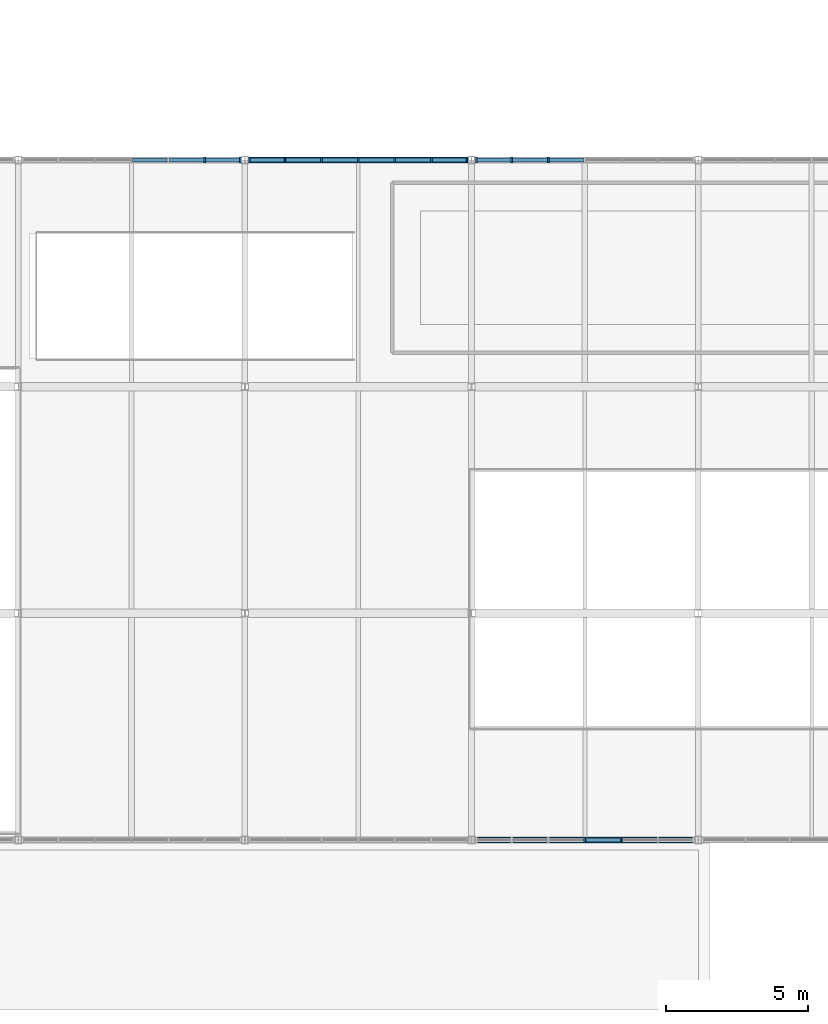
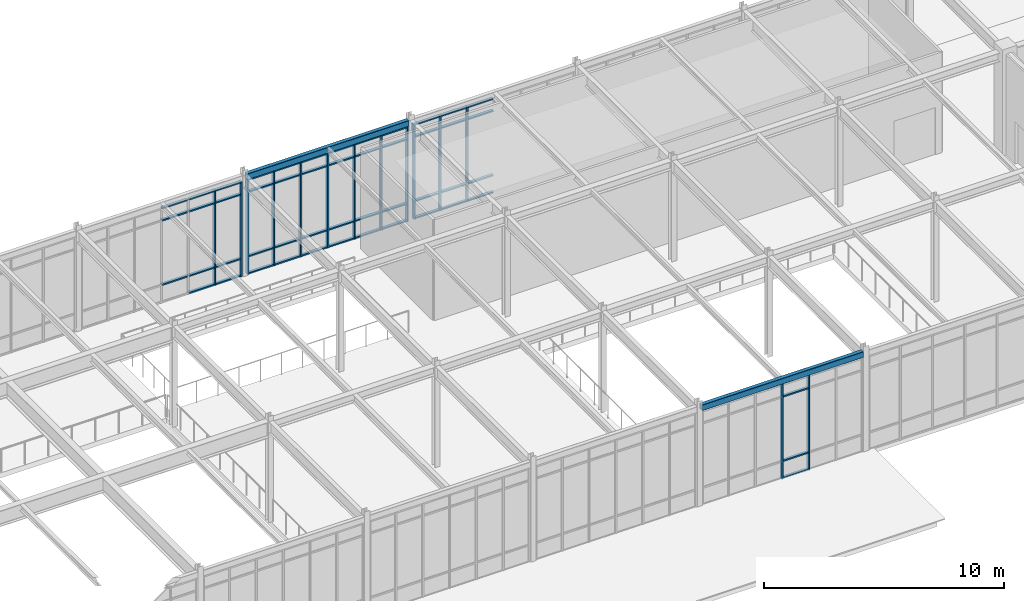
# One storey, part 50 of 184: 64 members, 2 beams, 4 elements without a shape of their own.
"""IFC4 building model written with IfcOpenShell, lengths in metres."""

from ifc_helpers import new_model, si_unit, direction, frame, origin, origin_2d, place, context, subcontext, project, spatial, rectangle, hollow_rectangle, extrude, material, material_profile, profile_set, type_object, element, aggregate, save


model = new_model("IFC4")

# Units and contexts
model_context = context("Model", 3, precision=1e-05, world=origin(), true_north=direction((0.0, 1.0)))
body_context = subcontext(model_context, "Body", "Model", "MODEL_VIEW")
ifc_project = project(units=[si_unit("LENGTHUNIT", "METRE"), si_unit("AREAUNIT", "SQUARE_METRE"), si_unit("VOLUMEUNIT", "CUBIC_METRE"), si_unit("PLANEANGLEUNIT", "RADIAN"), si_unit("MASSUNIT", "GRAM", prefix="KILO")], contexts=[model_context])

# Site, building, storey
site_placement = place(None, origin())
site = spatial("IfcSite", under=ifc_project, at=site_placement, CompositionType="ELEMENT")
building_placement = place(site_placement, origin())
building = spatial("IfcBuilding", under=site, at=building_placement, Name="Zhaolan Boulevard Law Courts", CompositionType="ELEMENT")
storey_placement = place(building_placement, frame((0.0, 0.0, 5.39990234375)))
storey = spatial("IfcBuildingStorey", under=building, at=storey_placement, Name="L01", CompositionType="ELEMENT", Elevation=5.39990234375)

# Curtain wall, members
ifc_material_1 = material(Name="Thermally broken aluminium and low-E glazing", Category="aluminium")
curtain_wall_type_1 = type_object("IfcCurtainWallType", Name="CURTAIN WALL M15", PredefinedType="USERDEFINED", material=ifc_material_1)
curtain_wall_1_placement = place(storey_placement, origin())
curtain_wall_1 = element("IfcCurtainWall", 1, at=curtain_wall_1_placement, inside=storey, type_object=curtain_wall_type_1, Name="Curtain Wall CW-L01-039", ObjectType="CURTAIN WALL", PredefinedType="USERDEFINED")
ifc_material_2 = material(Name="Fluorocarbon-coated aluminium 6063-T6", Category="aluminium")
ifc_material_profile_1 = material_profile(ifc_material_2, rectangle(XDim=0.179931640625, YDim=0.06494140625, at=origin_2d()), Name="AL65x180")
ifc_profile_set_1 = profile_set([ifc_material_profile_1], Name="Fluorocarbon-coated aluminium 6063-T6")
member_type_1 = type_object("IfcMemberType", Name="CWMULLION 65X180", PredefinedType="MULLION", material=ifc_profile_set_1)
member_1_placement = place(storey_placement, frame((96.0, 6.0, 0.0), z_axis=(0.0, 0.0, 1.0), x_axis=(0.0, 1.0, 0.0)))
member_1 = element("IfcMember", 2, at=member_1_placement, type_object=member_type_1, Name="CW-L01-039 mullion 4", PredefinedType="MULLION", context=body_context, shape_type="SweptSolid", body=[
    extrude(rectangle(XDim=0.179931640625, YDim=0.06494140625, at=origin_2d()), origin(), (0.0, 0.0, 1.0), 4.822998046875),
])
member_2_placement = place(storey_placement, frame((97.291015625, 6.0, 0.0), z_axis=(0.0, 0.0, 1.0), x_axis=(0.0, 1.0, 0.0)))
member_2 = element("IfcMember", 3, at=member_2_placement, type_object=member_type_1, Name="CW-L01-039 mullion 5", PredefinedType="MULLION", context=body_context, shape_type="SweptSolid", body=[
    extrude(rectangle(XDim=0.179931640625, YDim=0.06494140625, at=origin_2d()), origin(), (0.0, 0.0, 1.0), 4.822998046875),
])

ifc_material_3 = material(Name="Thermally broken aluminium and low-E glazing", Category="aluminium")
curtain_wall_type_2 = type_object("IfcCurtainWallType", Name="CURTAIN WALL M3", PredefinedType="USERDEFINED", material=ifc_material_3)
curtain_wall_2_placement = place(storey_placement, origin())
curtain_wall_2 = element("IfcCurtainWall", 4, at=curtain_wall_2_placement, inside=storey, type_object=curtain_wall_type_2, Name="Curtain Wall CW-L01-051", ObjectType="CURTAIN WALL", PredefinedType="USERDEFINED")
member_3_placement = place(storey_placement, frame((83.840576171875, 30.0, 0.0), z_axis=(0.0, 0.0, 1.0), x_axis=(0.0, -1.0, 0.0)))
member_3 = element("IfcMember", 5, at=member_3_placement, type_object=member_type_1, Name="CW-L01-051 mullion 1", PredefinedType="MULLION", context=body_context, shape_type="SweptSolid", body=[
    extrude(rectangle(XDim=0.179931640625, YDim=0.06494140625, at=origin_2d()), origin(), (0.0, 0.0, 1.0), 4.822998046875),
])
member_4_placement = place(storey_placement, frame((82.58203125, 30.0, 0.0), z_axis=(0.0, 0.0, 1.0), x_axis=(0.0, -1.0, 0.0)))
member_4 = element("IfcMember", 6, at=member_4_placement, type_object=member_type_1, Name="CW-L01-051 mullion 2", PredefinedType="MULLION", context=body_context, shape_type="SweptSolid", body=[
    extrude(rectangle(XDim=0.179931640625, YDim=0.06494140625, at=origin_2d()), origin(), (0.0, 0.0, 1.0), 4.822998046875),
])

ifc_material_4 = material(Name="Thermally broken aluminium and low-E glazing", Category="aluminium")
curtain_wall_type_3 = type_object("IfcCurtainWallType", Name="CURTAIN WALL M4", PredefinedType="USERDEFINED", material=ifc_material_4)
curtain_wall_3_placement = place(storey_placement, origin())
curtain_wall_3 = element("IfcCurtainWall", 7, at=curtain_wall_3_placement, inside=storey, type_object=curtain_wall_type_3, Name="Curtain Wall CW-L01-052", ObjectType="CURTAIN WALL", PredefinedType="USERDEFINED")
member_5_placement = place(storey_placement, frame((91.840576171875, 30.0, 0.0), z_axis=(0.0, 0.0, 1.0), x_axis=(0.0, -1.0, 0.0)))
member_5 = element("IfcMember", 8, at=member_5_placement, type_object=member_type_1, Name="CW-L01-052 mullion 1", PredefinedType="MULLION", context=body_context, shape_type="SweptSolid", body=[
    extrude(rectangle(XDim=0.179931640625, YDim=0.06494140625, at=origin_2d()), origin(), (0.0, 0.0, 1.0), 4.822998046875),
])
member_6_placement = place(storey_placement, frame((90.58203125, 30.0, 0.0), z_axis=(0.0, 0.0, 1.0), x_axis=(0.0, -1.0, 0.0)))
member_6 = element("IfcMember", 9, at=member_6_placement, type_object=member_type_1, Name="CW-L01-052 mullion 2", PredefinedType="MULLION", context=body_context, shape_type="SweptSolid", body=[
    extrude(rectangle(XDim=0.179931640625, YDim=0.06494140625, at=origin_2d()), origin(), (0.0, 0.0, 1.0), 4.822998046875),
])
member_7_placement = place(storey_placement, frame((89.291015625, 30.0, 0.0), z_axis=(0.0, 0.0, 1.0), x_axis=(0.0, -1.0, 0.0)))
member_7 = element("IfcMember", 10, at=member_7_placement, type_object=member_type_1, Name="CW-L01-052 mullion 3", PredefinedType="MULLION", context=body_context, shape_type="SweptSolid", body=[
    extrude(rectangle(XDim=0.179931640625, YDim=0.06494140625, at=origin_2d()), origin(), (0.0, 0.0, 1.0), 4.822998046875),
])
member_8_placement = place(storey_placement, frame((88.0, 30.0, 0.0), z_axis=(0.0, 0.0, 1.0), x_axis=(0.0, -1.0, 0.0)))
member_8 = element("IfcMember", 11, at=member_8_placement, type_object=member_type_1, Name="CW-L01-052 mullion 4", PredefinedType="MULLION", context=body_context, shape_type="SweptSolid", body=[
    extrude(rectangle(XDim=0.179931640625, YDim=0.06494140625, at=origin_2d()), origin(), (0.0, 0.0, 1.0), 4.822998046875),
])
member_9_placement = place(storey_placement, frame((86.708984375, 30.0, 0.0), z_axis=(0.0, 0.0, 1.0), x_axis=(0.0, -1.0, 0.0)))
member_9 = element("IfcMember", 12, at=member_9_placement, type_object=member_type_1, Name="CW-L01-052 mullion 5", PredefinedType="MULLION", context=body_context, shape_type="SweptSolid", body=[
    extrude(rectangle(XDim=0.179931640625, YDim=0.06494140625, at=origin_2d()), origin(), (0.0, 0.0, 1.0), 4.822998046875),
])
member_10_placement = place(storey_placement, frame((85.41796875, 30.0, 0.0), z_axis=(0.0, 0.0, 1.0), x_axis=(0.0, -1.0, 0.0)))
member_10 = element("IfcMember", 13, at=member_10_placement, type_object=member_type_1, Name="CW-L01-052 mullion 6", PredefinedType="MULLION", context=body_context, shape_type="SweptSolid", body=[
    extrude(rectangle(XDim=0.179931640625, YDim=0.06494140625, at=origin_2d()), origin(), (0.0, 0.0, 1.0), 4.822998046875),
])
member_11_placement = place(storey_placement, frame((84.159423828125, 30.0, 0.0), z_axis=(0.0, 0.0, 1.0), x_axis=(0.0, -1.0, 0.0)))
member_11 = element("IfcMember", 14, at=member_11_placement, type_object=member_type_1, Name="CW-L01-052 mullion 7", PredefinedType="MULLION", context=body_context, shape_type="SweptSolid", body=[
    extrude(rectangle(XDim=0.179931640625, YDim=0.06494140625, at=origin_2d()), origin(), (0.0, 0.0, 1.0), 4.822998046875),
])

ifc_material_5 = material(Name="Thermally broken aluminium and low-E glazing", Category="aluminium")
curtain_wall_type_4 = type_object("IfcCurtainWallType", Name="CURTAIN WALL M5", PredefinedType="USERDEFINED", material=ifc_material_5)
curtain_wall_4_placement = place(storey_placement, origin())
curtain_wall_4 = element("IfcCurtainWall", 15, at=curtain_wall_4_placement, inside=storey, type_object=curtain_wall_type_4, Name="Curtain Wall CW-L01-053", ObjectType="CURTAIN WALL", PredefinedType="USERDEFINED")
member_12_placement = place(storey_placement, frame((94.708984375, 30.0, 0.0), z_axis=(0.0, 0.0, 1.0), x_axis=(0.0, -1.0, 0.0)))
member_12 = element("IfcMember", 16, at=member_12_placement, type_object=member_type_1, Name="CW-L01-053 mullion 5", PredefinedType="MULLION", context=body_context, shape_type="SweptSolid", body=[
    extrude(rectangle(XDim=0.179931640625, YDim=0.06494140625, at=origin_2d()), origin(), (0.0, 0.0, 1.0), 4.822998046875),
])
member_13_placement = place(storey_placement, frame((93.41796875, 30.0, 0.0), z_axis=(0.0, 0.0, 1.0), x_axis=(0.0, -1.0, 0.0)))
member_13 = element("IfcMember", 17, at=member_13_placement, type_object=member_type_1, Name="CW-L01-053 mullion 6", PredefinedType="MULLION", context=body_context, shape_type="SweptSolid", body=[
    extrude(rectangle(XDim=0.179931640625, YDim=0.06494140625, at=origin_2d()), origin(), (0.0, 0.0, 1.0), 4.822998046875),
])
member_14_placement = place(storey_placement, frame((92.159423828125, 30.0, 0.0), z_axis=(0.0, 0.0, 1.0), x_axis=(0.0, -1.0, 0.0)))
member_14 = element("IfcMember", 18, at=member_14_placement, type_object=member_type_1, Name="CW-L01-053 mullion 7", PredefinedType="MULLION", context=body_context, shape_type="SweptSolid", body=[
    extrude(rectangle(XDim=0.179931640625, YDim=0.06494140625, at=origin_2d()), origin(), (0.0, 0.0, 1.0), 4.822998046875),
])

# Member
ifc_material_6 = material(Name="Fluorocarbon-coated aluminium 6063-T6", Category="aluminium")
ifc_material_profile_2 = material_profile(ifc_material_6, rectangle(XDim=0.139892578125, YDim=0.06494140625, at=origin_2d()), Name="AL65x140")
ifc_profile_set_2 = profile_set([ifc_material_profile_2], Name="Fluorocarbon-coated aluminium 6063-T6")
member_type_2 = type_object("IfcMemberType", Name="CWTRANSOM 65X140", PredefinedType="USERDEFINED", material=ifc_profile_set_2)
member_15_placement = place(storey_placement, frame((96.032470703125, 6.0, 0.03271484375), z_axis=(1.0, 0.0, 0.0), x_axis=(0.0, 1.0, 0.0)))
member_15 = element("IfcMember", 19, at=member_15_placement, type_object=member_type_2, Name="CW-L01-039 transom 4.1", ObjectType="TRANSOM", PredefinedType="USERDEFINED", context=body_context, shape_type="SweptSolid", body=[
    extrude(rectangle(XDim=0.139892578125, YDim=0.06494140625, at=origin_2d()), origin(), (0.0, 0.0, 1.0), 1.22607421875),
])

member_16_placement = place(storey_placement, frame((96.032470703125, 6.0, 0.900146484375), z_axis=(1.0, 0.0, 0.0), x_axis=(0.0, 1.0, 0.0)))
member_16 = element("IfcMember", 20, at=member_16_placement, type_object=member_type_2, Name="CW-L01-039 transom 4.2", ObjectType="TRANSOM", PredefinedType="USERDEFINED", context=body_context, shape_type="SweptSolid", body=[
    extrude(rectangle(XDim=0.139892578125, YDim=0.06494140625, at=origin_2d()), origin(), (0.0, 0.0, 1.0), 1.22607421875),
])

member_17_placement = place(storey_placement, frame((96.032470703125, 6.0, 4.173095703125), z_axis=(1.0, 0.0, 0.0), x_axis=(0.0, 1.0, 0.0)))
member_17 = element("IfcMember", 21, at=member_17_placement, type_object=member_type_2, Name="CW-L01-039 transom 4.3", ObjectType="TRANSOM", PredefinedType="USERDEFINED", context=body_context, shape_type="SweptSolid", body=[
    extrude(rectangle(XDim=0.139892578125, YDim=0.06494140625, at=origin_2d()), origin(), (0.0, 0.0, 1.0), 1.22607421875),
])

aggregate(curtain_wall_1, [member_1, member_2, member_15, member_16, member_17])

member_18_placement = place(storey_placement, frame((83.80810546875, 30.0, 0.03271484375), z_axis=(-1.0, 0.0, 0.0), x_axis=(0.0, -1.0, 0.0)))
member_18 = element("IfcMember", 22, at=member_18_placement, type_object=member_type_2, Name="CW-L01-051 transom 1.1", ObjectType="TRANSOM", PredefinedType="USERDEFINED", context=body_context, shape_type="SweptSolid", body=[
    extrude(rectangle(XDim=0.139892578125, YDim=0.06494140625, at=origin_2d()), origin(), (0.0, 0.0, 1.0), 1.193603515625),
])

member_19_placement = place(storey_placement, frame((83.80810546875, 30.0, 0.900146484375), z_axis=(-1.0, 0.0, 0.0), x_axis=(0.0, -1.0, 0.0)))
member_19 = element("IfcMember", 23, at=member_19_placement, type_object=member_type_2, Name="CW-L01-051 transom 1.2", ObjectType="TRANSOM", PredefinedType="USERDEFINED", context=body_context, shape_type="SweptSolid", body=[
    extrude(rectangle(XDim=0.139892578125, YDim=0.06494140625, at=origin_2d()), origin(), (0.0, 0.0, 1.0), 1.193603515625),
])

member_20_placement = place(storey_placement, frame((83.80810546875, 30.0, 4.173095703125), z_axis=(-1.0, 0.0, 0.0), x_axis=(0.0, -1.0, 0.0)))
member_20 = element("IfcMember", 24, at=member_20_placement, type_object=member_type_2, Name="CW-L01-051 transom 1.3", ObjectType="TRANSOM", PredefinedType="USERDEFINED", context=body_context, shape_type="SweptSolid", body=[
    extrude(rectangle(XDim=0.139892578125, YDim=0.06494140625, at=origin_2d()), origin(), (0.0, 0.0, 1.0), 1.193603515625),
])

member_21_placement = place(storey_placement, frame((83.80810546875, 30.0, 4.79052734375), z_axis=(-1.0, 0.0, 0.0), x_axis=(0.0, -1.0, 0.0)))
member_21 = element("IfcMember", 25, at=member_21_placement, type_object=member_type_2, Name="CW-L01-051 transom 1.4", ObjectType="TRANSOM", PredefinedType="USERDEFINED", context=body_context, shape_type="SweptSolid", body=[
    extrude(rectangle(XDim=0.139892578125, YDim=0.06494140625, at=origin_2d()), origin(), (0.0, 0.0, 1.0), 1.193603515625),
])

member_22_placement = place(storey_placement, frame((82.549560546875, 30.0, 0.03271484375), z_axis=(-1.0, 0.0, 0.0), x_axis=(0.0, -1.0, 0.0)))
member_22 = element("IfcMember", 26, at=member_22_placement, type_object=member_type_2, Name="CW-L01-051 transom 2.1", ObjectType="TRANSOM", PredefinedType="USERDEFINED", context=body_context, shape_type="SweptSolid", body=[
    extrude(rectangle(XDim=0.139892578125, YDim=0.06494140625, at=origin_2d()), origin(), (0.0, 0.0, 1.0), 1.22607421875),
])

member_23_placement = place(storey_placement, frame((82.549560546875, 30.0, 0.900146484375), z_axis=(-1.0, 0.0, 0.0), x_axis=(0.0, -1.0, 0.0)))
member_23 = element("IfcMember", 27, at=member_23_placement, type_object=member_type_2, Name="CW-L01-051 transom 2.2", ObjectType="TRANSOM", PredefinedType="USERDEFINED", context=body_context, shape_type="SweptSolid", body=[
    extrude(rectangle(XDim=0.139892578125, YDim=0.06494140625, at=origin_2d()), origin(), (0.0, 0.0, 1.0), 1.22607421875),
])

member_24_placement = place(storey_placement, frame((82.549560546875, 30.0, 4.173095703125), z_axis=(-1.0, 0.0, 0.0), x_axis=(0.0, -1.0, 0.0)))
member_24 = element("IfcMember", 28, at=member_24_placement, type_object=member_type_2, Name="CW-L01-051 transom 2.3", ObjectType="TRANSOM", PredefinedType="USERDEFINED", context=body_context, shape_type="SweptSolid", body=[
    extrude(rectangle(XDim=0.139892578125, YDim=0.06494140625, at=origin_2d()), origin(), (0.0, 0.0, 1.0), 1.22607421875),
])

member_25_placement = place(storey_placement, frame((82.549560546875, 30.0, 4.79052734375), z_axis=(-1.0, 0.0, 0.0), x_axis=(0.0, -1.0, 0.0)))
member_25 = element("IfcMember", 29, at=member_25_placement, type_object=member_type_2, Name="CW-L01-051 transom 2.4", ObjectType="TRANSOM", PredefinedType="USERDEFINED", context=body_context, shape_type="SweptSolid", body=[
    extrude(rectangle(XDim=0.139892578125, YDim=0.06494140625, at=origin_2d()), origin(), (0.0, 0.0, 1.0), 1.22607421875),
])

member_26_placement = place(storey_placement, frame((81.258544921875, 30.0, 0.900146484375), z_axis=(-1.0, 0.0, 0.0), x_axis=(0.0, -1.0, 0.0)))
member_26 = element("IfcMember", 30, at=member_26_placement, type_object=member_type_2, Name="CW-L01-051 transom 3.2", ObjectType="TRANSOM", PredefinedType="USERDEFINED", context=body_context, shape_type="SweptSolid", body=[
    extrude(rectangle(XDim=0.139892578125, YDim=0.06494140625, at=origin_2d()), origin(), (0.0, 0.0, 1.0), 1.22607421875),
])

member_27_placement = place(storey_placement, frame((81.258544921875, 30.0, 4.173095703125), z_axis=(-1.0, 0.0, 0.0), x_axis=(0.0, -1.0, 0.0)))
member_27 = element("IfcMember", 31, at=member_27_placement, type_object=member_type_2, Name="CW-L01-051 transom 3.3", ObjectType="TRANSOM", PredefinedType="USERDEFINED", context=body_context, shape_type="SweptSolid", body=[
    extrude(rectangle(XDim=0.139892578125, YDim=0.06494140625, at=origin_2d()), origin(), (0.0, 0.0, 1.0), 1.22607421875),
])

member_28_placement = place(storey_placement, frame((81.258544921875, 30.0, 4.79052734375), z_axis=(-1.0, 0.0, 0.0), x_axis=(0.0, -1.0, 0.0)))
member_28 = element("IfcMember", 32, at=member_28_placement, type_object=member_type_2, Name="CW-L01-051 transom 3.4", ObjectType="TRANSOM", PredefinedType="USERDEFINED", context=body_context, shape_type="SweptSolid", body=[
    extrude(rectangle(XDim=0.139892578125, YDim=0.06494140625, at=origin_2d()), origin(), (0.0, 0.0, 1.0), 1.22607421875),
])

aggregate(curtain_wall_2, [member_3, member_4, member_18, member_19, member_20, member_21, member_22, member_23, member_24, member_25, member_26, member_27, member_28])

member_29_placement = place(storey_placement, frame((91.80810546875, 30.0, 0.03271484375), z_axis=(-1.0, 0.0, 0.0), x_axis=(0.0, -1.0, 0.0)))
member_29 = element("IfcMember", 33, at=member_29_placement, type_object=member_type_2, Name="CW-L01-052 transom 1.1", ObjectType="TRANSOM", PredefinedType="USERDEFINED", context=body_context, shape_type="SweptSolid", body=[
    extrude(rectangle(XDim=0.139892578125, YDim=0.06494140625, at=origin_2d()), origin(), (0.0, 0.0, 1.0), 1.193603515625),
])

member_30_placement = place(storey_placement, frame((91.80810546875, 30.0, 0.900146484375), z_axis=(-1.0, 0.0, 0.0), x_axis=(0.0, -1.0, 0.0)))
member_30 = element("IfcMember", 34, at=member_30_placement, type_object=member_type_2, Name="CW-L01-052 transom 1.2", ObjectType="TRANSOM", PredefinedType="USERDEFINED", context=body_context, shape_type="SweptSolid", body=[
    extrude(rectangle(XDim=0.139892578125, YDim=0.06494140625, at=origin_2d()), origin(), (0.0, 0.0, 1.0), 1.193603515625),
])

member_31_placement = place(storey_placement, frame((91.80810546875, 30.0, 4.173095703125), z_axis=(-1.0, 0.0, 0.0), x_axis=(0.0, -1.0, 0.0)))
member_31 = element("IfcMember", 35, at=member_31_placement, type_object=member_type_2, Name="CW-L01-052 transom 1.3", ObjectType="TRANSOM", PredefinedType="USERDEFINED", context=body_context, shape_type="SweptSolid", body=[
    extrude(rectangle(XDim=0.139892578125, YDim=0.06494140625, at=origin_2d()), origin(), (0.0, 0.0, 1.0), 1.193603515625),
])

member_32_placement = place(storey_placement, frame((91.80810546875, 30.0, 4.79052734375), z_axis=(-1.0, 0.0, 0.0), x_axis=(0.0, -1.0, 0.0)))
member_32 = element("IfcMember", 36, at=member_32_placement, type_object=member_type_2, Name="CW-L01-052 transom 1.4", ObjectType="TRANSOM", PredefinedType="USERDEFINED", context=body_context, shape_type="SweptSolid", body=[
    extrude(rectangle(XDim=0.139892578125, YDim=0.06494140625, at=origin_2d()), origin(), (0.0, 0.0, 1.0), 1.193603515625),
])

member_33_placement = place(storey_placement, frame((90.549560546875, 30.0, 0.03271484375), z_axis=(-1.0, 0.0, 0.0), x_axis=(0.0, -1.0, 0.0)))
member_33 = element("IfcMember", 37, at=member_33_placement, type_object=member_type_2, Name="CW-L01-052 transom 2.1", ObjectType="TRANSOM", PredefinedType="USERDEFINED", context=body_context, shape_type="SweptSolid", body=[
    extrude(rectangle(XDim=0.139892578125, YDim=0.06494140625, at=origin_2d()), origin(), (0.0, 0.0, 1.0), 1.22607421875),
])

member_34_placement = place(storey_placement, frame((90.549560546875, 30.0, 0.900146484375), z_axis=(-1.0, 0.0, 0.0), x_axis=(0.0, -1.0, 0.0)))
member_34 = element("IfcMember", 38, at=member_34_placement, type_object=member_type_2, Name="CW-L01-052 transom 2.2", ObjectType="TRANSOM", PredefinedType="USERDEFINED", context=body_context, shape_type="SweptSolid", body=[
    extrude(rectangle(XDim=0.139892578125, YDim=0.06494140625, at=origin_2d()), origin(), (0.0, 0.0, 1.0), 1.22607421875),
])

member_35_placement = place(storey_placement, frame((90.549560546875, 30.0, 4.173095703125), z_axis=(-1.0, 0.0, 0.0), x_axis=(0.0, -1.0, 0.0)))
member_35 = element("IfcMember", 39, at=member_35_placement, type_object=member_type_2, Name="CW-L01-052 transom 2.3", ObjectType="TRANSOM", PredefinedType="USERDEFINED", context=body_context, shape_type="SweptSolid", body=[
    extrude(rectangle(XDim=0.139892578125, YDim=0.06494140625, at=origin_2d()), origin(), (0.0, 0.0, 1.0), 1.22607421875),
])

member_36_placement = place(storey_placement, frame((90.549560546875, 30.0, 4.79052734375), z_axis=(-1.0, 0.0, 0.0), x_axis=(0.0, -1.0, 0.0)))
member_36 = element("IfcMember", 40, at=member_36_placement, type_object=member_type_2, Name="CW-L01-052 transom 2.4", ObjectType="TRANSOM", PredefinedType="USERDEFINED", context=body_context, shape_type="SweptSolid", body=[
    extrude(rectangle(XDim=0.139892578125, YDim=0.06494140625, at=origin_2d()), origin(), (0.0, 0.0, 1.0), 1.22607421875),
])

member_37_placement = place(storey_placement, frame((89.258544921875, 30.0, 0.03271484375), z_axis=(-1.0, 0.0, 0.0), x_axis=(0.0, -1.0, 0.0)))
member_37 = element("IfcMember", 41, at=member_37_placement, type_object=member_type_2, Name="CW-L01-052 transom 3.1", ObjectType="TRANSOM", PredefinedType="USERDEFINED", context=body_context, shape_type="SweptSolid", body=[
    extrude(rectangle(XDim=0.139892578125, YDim=0.06494140625, at=origin_2d()), origin(), (0.0, 0.0, 1.0), 1.22607421875),
])

member_38_placement = place(storey_placement, frame((89.258544921875, 30.0, 0.900146484375), z_axis=(-1.0, 0.0, 0.0), x_axis=(0.0, -1.0, 0.0)))
member_38 = element("IfcMember", 42, at=member_38_placement, type_object=member_type_2, Name="CW-L01-052 transom 3.2", ObjectType="TRANSOM", PredefinedType="USERDEFINED", context=body_context, shape_type="SweptSolid", body=[
    extrude(rectangle(XDim=0.139892578125, YDim=0.06494140625, at=origin_2d()), origin(), (0.0, 0.0, 1.0), 1.22607421875),
])

member_39_placement = place(storey_placement, frame((89.258544921875, 30.0, 4.173095703125), z_axis=(-1.0, 0.0, 0.0), x_axis=(0.0, -1.0, 0.0)))
member_39 = element("IfcMember", 43, at=member_39_placement, type_object=member_type_2, Name="CW-L01-052 transom 3.3", ObjectType="TRANSOM", PredefinedType="USERDEFINED", context=body_context, shape_type="SweptSolid", body=[
    extrude(rectangle(XDim=0.139892578125, YDim=0.06494140625, at=origin_2d()), origin(), (0.0, 0.0, 1.0), 1.22607421875),
])

member_40_placement = place(storey_placement, frame((89.258544921875, 30.0, 4.79052734375), z_axis=(-1.0, 0.0, 0.0), x_axis=(0.0, -1.0, 0.0)))
member_40 = element("IfcMember", 44, at=member_40_placement, type_object=member_type_2, Name="CW-L01-052 transom 3.4", ObjectType="TRANSOM", PredefinedType="USERDEFINED", context=body_context, shape_type="SweptSolid", body=[
    extrude(rectangle(XDim=0.139892578125, YDim=0.06494140625, at=origin_2d()), origin(), (0.0, 0.0, 1.0), 1.22607421875),
])

member_41_placement = place(storey_placement, frame((87.967529296875, 30.0, 0.03271484375), z_axis=(-1.0, 0.0, 0.0), x_axis=(0.0, -1.0, 0.0)))
member_41 = element("IfcMember", 45, at=member_41_placement, type_object=member_type_2, Name="CW-L01-052 transom 4.1", ObjectType="TRANSOM", PredefinedType="USERDEFINED", context=body_context, shape_type="SweptSolid", body=[
    extrude(rectangle(XDim=0.139892578125, YDim=0.06494140625, at=origin_2d()), origin(), (0.0, 0.0, 1.0), 1.22607421875),
])

member_42_placement = place(storey_placement, frame((87.967529296875, 30.0, 0.900146484375), z_axis=(-1.0, 0.0, 0.0), x_axis=(0.0, -1.0, 0.0)))
member_42 = element("IfcMember", 46, at=member_42_placement, type_object=member_type_2, Name="CW-L01-052 transom 4.2", ObjectType="TRANSOM", PredefinedType="USERDEFINED", context=body_context, shape_type="SweptSolid", body=[
    extrude(rectangle(XDim=0.139892578125, YDim=0.06494140625, at=origin_2d()), origin(), (0.0, 0.0, 1.0), 1.22607421875),
])

member_43_placement = place(storey_placement, frame((87.967529296875, 30.0, 4.173095703125), z_axis=(-1.0, 0.0, 0.0), x_axis=(0.0, -1.0, 0.0)))
member_43 = element("IfcMember", 47, at=member_43_placement, type_object=member_type_2, Name="CW-L01-052 transom 4.3", ObjectType="TRANSOM", PredefinedType="USERDEFINED", context=body_context, shape_type="SweptSolid", body=[
    extrude(rectangle(XDim=0.139892578125, YDim=0.06494140625, at=origin_2d()), origin(), (0.0, 0.0, 1.0), 1.22607421875),
])

member_44_placement = place(storey_placement, frame((87.967529296875, 30.0, 4.79052734375), z_axis=(-1.0, 0.0, 0.0), x_axis=(0.0, -1.0, 0.0)))
member_44 = element("IfcMember", 48, at=member_44_placement, type_object=member_type_2, Name="CW-L01-052 transom 4.4", ObjectType="TRANSOM", PredefinedType="USERDEFINED", context=body_context, shape_type="SweptSolid", body=[
    extrude(rectangle(XDim=0.139892578125, YDim=0.06494140625, at=origin_2d()), origin(), (0.0, 0.0, 1.0), 1.22607421875),
])

member_45_placement = place(storey_placement, frame((86.676513671875, 30.0, 0.03271484375), z_axis=(-1.0, 0.0, 0.0), x_axis=(0.0, -1.0, 0.0)))
member_45 = element("IfcMember", 49, at=member_45_placement, type_object=member_type_2, Name="CW-L01-052 transom 5.1", ObjectType="TRANSOM", PredefinedType="USERDEFINED", context=body_context, shape_type="SweptSolid", body=[
    extrude(rectangle(XDim=0.139892578125, YDim=0.06494140625, at=origin_2d()), origin(), (0.0, 0.0, 1.0), 1.22607421875),
])

member_46_placement = place(storey_placement, frame((86.676513671875, 30.0, 0.900146484375), z_axis=(-1.0, 0.0, 0.0), x_axis=(0.0, -1.0, 0.0)))
member_46 = element("IfcMember", 50, at=member_46_placement, type_object=member_type_2, Name="CW-L01-052 transom 5.2", ObjectType="TRANSOM", PredefinedType="USERDEFINED", context=body_context, shape_type="SweptSolid", body=[
    extrude(rectangle(XDim=0.139892578125, YDim=0.06494140625, at=origin_2d()), origin(), (0.0, 0.0, 1.0), 1.22607421875),
])

member_47_placement = place(storey_placement, frame((86.676513671875, 30.0, 4.173095703125), z_axis=(-1.0, 0.0, 0.0), x_axis=(0.0, -1.0, 0.0)))
member_47 = element("IfcMember", 51, at=member_47_placement, type_object=member_type_2, Name="CW-L01-052 transom 5.3", ObjectType="TRANSOM", PredefinedType="USERDEFINED", context=body_context, shape_type="SweptSolid", body=[
    extrude(rectangle(XDim=0.139892578125, YDim=0.06494140625, at=origin_2d()), origin(), (0.0, 0.0, 1.0), 1.22607421875),
])

member_48_placement = place(storey_placement, frame((86.676513671875, 30.0, 4.79052734375), z_axis=(-1.0, 0.0, 0.0), x_axis=(0.0, -1.0, 0.0)))
member_48 = element("IfcMember", 52, at=member_48_placement, type_object=member_type_2, Name="CW-L01-052 transom 5.4", ObjectType="TRANSOM", PredefinedType="USERDEFINED", context=body_context, shape_type="SweptSolid", body=[
    extrude(rectangle(XDim=0.139892578125, YDim=0.06494140625, at=origin_2d()), origin(), (0.0, 0.0, 1.0), 1.22607421875),
])

member_49_placement = place(storey_placement, frame((85.385498046875, 30.0, 0.03271484375), z_axis=(-1.0, 0.0, 0.0), x_axis=(0.0, -1.0, 0.0)))
member_49 = element("IfcMember", 53, at=member_49_placement, type_object=member_type_2, Name="CW-L01-052 transom 6.1", ObjectType="TRANSOM", PredefinedType="USERDEFINED", context=body_context, shape_type="SweptSolid", body=[
    extrude(rectangle(XDim=0.139892578125, YDim=0.06494140625, at=origin_2d()), origin(), (0.0, 0.0, 1.0), 1.193603515625),
])

member_50_placement = place(storey_placement, frame((85.385498046875, 30.0, 0.900146484375), z_axis=(-1.0, 0.0, 0.0), x_axis=(0.0, -1.0, 0.0)))
member_50 = element("IfcMember", 54, at=member_50_placement, type_object=member_type_2, Name="CW-L01-052 transom 6.2", ObjectType="TRANSOM", PredefinedType="USERDEFINED", context=body_context, shape_type="SweptSolid", body=[
    extrude(rectangle(XDim=0.139892578125, YDim=0.06494140625, at=origin_2d()), origin(), (0.0, 0.0, 1.0), 1.193603515625),
])

member_51_placement = place(storey_placement, frame((85.385498046875, 30.0, 4.173095703125), z_axis=(-1.0, 0.0, 0.0), x_axis=(0.0, -1.0, 0.0)))
member_51 = element("IfcMember", 55, at=member_51_placement, type_object=member_type_2, Name="CW-L01-052 transom 6.3", ObjectType="TRANSOM", PredefinedType="USERDEFINED", context=body_context, shape_type="SweptSolid", body=[
    extrude(rectangle(XDim=0.139892578125, YDim=0.06494140625, at=origin_2d()), origin(), (0.0, 0.0, 1.0), 1.193603515625),
])

member_52_placement = place(storey_placement, frame((85.385498046875, 30.0, 4.79052734375), z_axis=(-1.0, 0.0, 0.0), x_axis=(0.0, -1.0, 0.0)))
member_52 = element("IfcMember", 56, at=member_52_placement, type_object=member_type_2, Name="CW-L01-052 transom 6.4", ObjectType="TRANSOM", PredefinedType="USERDEFINED", context=body_context, shape_type="SweptSolid", body=[
    extrude(rectangle(XDim=0.139892578125, YDim=0.06494140625, at=origin_2d()), origin(), (0.0, 0.0, 1.0), 1.193603515625),
])

aggregate(curtain_wall_3, [member_5, member_6, member_7, member_8, member_9, member_10, member_11, member_29, member_30, member_31, member_32, member_33, member_34, member_35, member_36, member_37, member_38, member_39, member_40, member_41, member_42, member_43, member_44, member_45, member_46, member_47, member_48, member_49, member_50, member_51, member_52])

member_53_placement = place(storey_placement, frame((95.967529296875, 30.0, 0.03271484375), z_axis=(-1.0, 0.0, 0.0), x_axis=(0.0, -1.0, 0.0)))
member_53 = element("IfcMember", 57, at=member_53_placement, type_object=member_type_2, Name="CW-L01-053 transom 4.1", ObjectType="TRANSOM", PredefinedType="USERDEFINED", context=body_context, shape_type="SweptSolid", body=[
    extrude(rectangle(XDim=0.139892578125, YDim=0.06494140625, at=origin_2d()), origin(), (0.0, 0.0, 1.0), 1.22607421875),
])

member_54_placement = place(storey_placement, frame((95.967529296875, 30.0, 0.900146484375), z_axis=(-1.0, 0.0, 0.0), x_axis=(0.0, -1.0, 0.0)))
member_54 = element("IfcMember", 58, at=member_54_placement, type_object=member_type_2, Name="CW-L01-053 transom 4.2", ObjectType="TRANSOM", PredefinedType="USERDEFINED", context=body_context, shape_type="SweptSolid", body=[
    extrude(rectangle(XDim=0.139892578125, YDim=0.06494140625, at=origin_2d()), origin(), (0.0, 0.0, 1.0), 1.22607421875),
])

member_55_placement = place(storey_placement, frame((95.967529296875, 30.0, 4.173095703125), z_axis=(-1.0, 0.0, 0.0), x_axis=(0.0, -1.0, 0.0)))
member_55 = element("IfcMember", 59, at=member_55_placement, type_object=member_type_2, Name="CW-L01-053 transom 4.3", ObjectType="TRANSOM", PredefinedType="USERDEFINED", context=body_context, shape_type="SweptSolid", body=[
    extrude(rectangle(XDim=0.139892578125, YDim=0.06494140625, at=origin_2d()), origin(), (0.0, 0.0, 1.0), 1.22607421875),
])

member_56_placement = place(storey_placement, frame((95.967529296875, 30.0, 4.79052734375), z_axis=(-1.0, 0.0, 0.0), x_axis=(0.0, -1.0, 0.0)))
member_56 = element("IfcMember", 60, at=member_56_placement, type_object=member_type_2, Name="CW-L01-053 transom 4.4", ObjectType="TRANSOM", PredefinedType="USERDEFINED", context=body_context, shape_type="SweptSolid", body=[
    extrude(rectangle(XDim=0.139892578125, YDim=0.06494140625, at=origin_2d()), origin(), (0.0, 0.0, 1.0), 1.22607421875),
])

member_57_placement = place(storey_placement, frame((94.676513671875, 30.0, 0.03271484375), z_axis=(-1.0, 0.0, 0.0), x_axis=(0.0, -1.0, 0.0)))
member_57 = element("IfcMember", 61, at=member_57_placement, type_object=member_type_2, Name="CW-L01-053 transom 5.1", ObjectType="TRANSOM", PredefinedType="USERDEFINED", context=body_context, shape_type="SweptSolid", body=[
    extrude(rectangle(XDim=0.139892578125, YDim=0.06494140625, at=origin_2d()), origin(), (0.0, 0.0, 1.0), 1.22607421875),
])

member_58_placement = place(storey_placement, frame((94.676513671875, 30.0, 0.900146484375), z_axis=(-1.0, 0.0, 0.0), x_axis=(0.0, -1.0, 0.0)))
member_58 = element("IfcMember", 62, at=member_58_placement, type_object=member_type_2, Name="CW-L01-053 transom 5.2", ObjectType="TRANSOM", PredefinedType="USERDEFINED", context=body_context, shape_type="SweptSolid", body=[
    extrude(rectangle(XDim=0.139892578125, YDim=0.06494140625, at=origin_2d()), origin(), (0.0, 0.0, 1.0), 1.22607421875),
])

member_59_placement = place(storey_placement, frame((94.676513671875, 30.0, 4.173095703125), z_axis=(-1.0, 0.0, 0.0), x_axis=(0.0, -1.0, 0.0)))
member_59 = element("IfcMember", 63, at=member_59_placement, type_object=member_type_2, Name="CW-L01-053 transom 5.3", ObjectType="TRANSOM", PredefinedType="USERDEFINED", context=body_context, shape_type="SweptSolid", body=[
    extrude(rectangle(XDim=0.139892578125, YDim=0.06494140625, at=origin_2d()), origin(), (0.0, 0.0, 1.0), 1.22607421875),
])

member_60_placement = place(storey_placement, frame((94.676513671875, 30.0, 4.79052734375), z_axis=(-1.0, 0.0, 0.0), x_axis=(0.0, -1.0, 0.0)))
member_60 = element("IfcMember", 64, at=member_60_placement, type_object=member_type_2, Name="CW-L01-053 transom 5.4", ObjectType="TRANSOM", PredefinedType="USERDEFINED", context=body_context, shape_type="SweptSolid", body=[
    extrude(rectangle(XDim=0.139892578125, YDim=0.06494140625, at=origin_2d()), origin(), (0.0, 0.0, 1.0), 1.22607421875),
])

member_61_placement = place(storey_placement, frame((93.385498046875, 30.0, 0.03271484375), z_axis=(-1.0, 0.0, 0.0), x_axis=(0.0, -1.0, 0.0)))
member_61 = element("IfcMember", 65, at=member_61_placement, type_object=member_type_2, Name="CW-L01-053 transom 6.1", ObjectType="TRANSOM", PredefinedType="USERDEFINED", context=body_context, shape_type="SweptSolid", body=[
    extrude(rectangle(XDim=0.139892578125, YDim=0.06494140625, at=origin_2d()), origin(), (0.0, 0.0, 1.0), 1.193603515625),
])

member_62_placement = place(storey_placement, frame((93.385498046875, 30.0, 0.900146484375), z_axis=(-1.0, 0.0, 0.0), x_axis=(0.0, -1.0, 0.0)))
member_62 = element("IfcMember", 66, at=member_62_placement, type_object=member_type_2, Name="CW-L01-053 transom 6.2", ObjectType="TRANSOM", PredefinedType="USERDEFINED", context=body_context, shape_type="SweptSolid", body=[
    extrude(rectangle(XDim=0.139892578125, YDim=0.06494140625, at=origin_2d()), origin(), (0.0, 0.0, 1.0), 1.193603515625),
])

member_63_placement = place(storey_placement, frame((93.385498046875, 30.0, 4.173095703125), z_axis=(-1.0, 0.0, 0.0), x_axis=(0.0, -1.0, 0.0)))
member_63 = element("IfcMember", 67, at=member_63_placement, type_object=member_type_2, Name="CW-L01-053 transom 6.3", ObjectType="TRANSOM", PredefinedType="USERDEFINED", context=body_context, shape_type="SweptSolid", body=[
    extrude(rectangle(XDim=0.139892578125, YDim=0.06494140625, at=origin_2d()), origin(), (0.0, 0.0, 1.0), 1.193603515625),
])

member_64_placement = place(storey_placement, frame((93.385498046875, 30.0, 4.79052734375), z_axis=(-1.0, 0.0, 0.0), x_axis=(0.0, -1.0, 0.0)))
member_64 = element("IfcMember", 68, at=member_64_placement, type_object=member_type_2, Name="CW-L01-053 transom 6.4", ObjectType="TRANSOM", PredefinedType="USERDEFINED", context=body_context, shape_type="SweptSolid", body=[
    extrude(rectangle(XDim=0.139892578125, YDim=0.06494140625, at=origin_2d()), origin(), (0.0, 0.0, 1.0), 1.193603515625),
])

aggregate(curtain_wall_4, [member_12, member_13, member_14, member_53, member_54, member_55, member_56, member_57, member_58, member_59, member_60, member_61, member_62, member_63, member_64])

# Beams
ifc_material_7 = material(Name="Structural steel Q355B", Category="steel")
ifc_material_profile_3 = material_profile(ifc_material_7, hollow_rectangle(XDim=0.199951171875, YDim=0.300048828125, WallThickness=0.011962890625, InnerFilletRadius=0.011962890625, OuterFilletRadius=0.02392578125, at=origin_2d()), Name="HSS300x200x12")
ifc_profile_set_3 = profile_set([ifc_material_profile_3], Name="Structural steel Q355B")
beam_type = type_object("IfcBeamType", Name="SPANDREL HSS300", PredefinedType="SPANDREL", material=ifc_profile_set_3)
for number, where, z_axis, x_axis, name in (
    (69, (92.12109375, 6.0, 4.988037109375), (1.0, 0.0, 0.0), (0.0, 1.0, 0.0), "Beam BX-L02-12-13-B"),
    (70, (84.12109375, 30.0, 4.988037109375), (1.0, 0.0, 0.0), (0.0, 1.0, 0.0), "Beam BX-L02-11-12-E"),
):
    element("IfcBeam", number, at=place(storey_placement, frame(where, z_axis=z_axis, x_axis=x_axis)), inside=storey, type_object=beam_type, Name=name, PredefinedType="SPANDREL", context=body_context, shape_type="SweptSolid", body=[
        extrude(hollow_rectangle(XDim=0.199951171875, YDim=0.300048828125, WallThickness=0.011962890625, InnerFilletRadius=0.011962890625, OuterFilletRadius=0.02392578125, at=origin_2d()), origin(), (0.0, 0.0, 1.0), 7.7578125),
    ])

save(model, "model.ifc")
